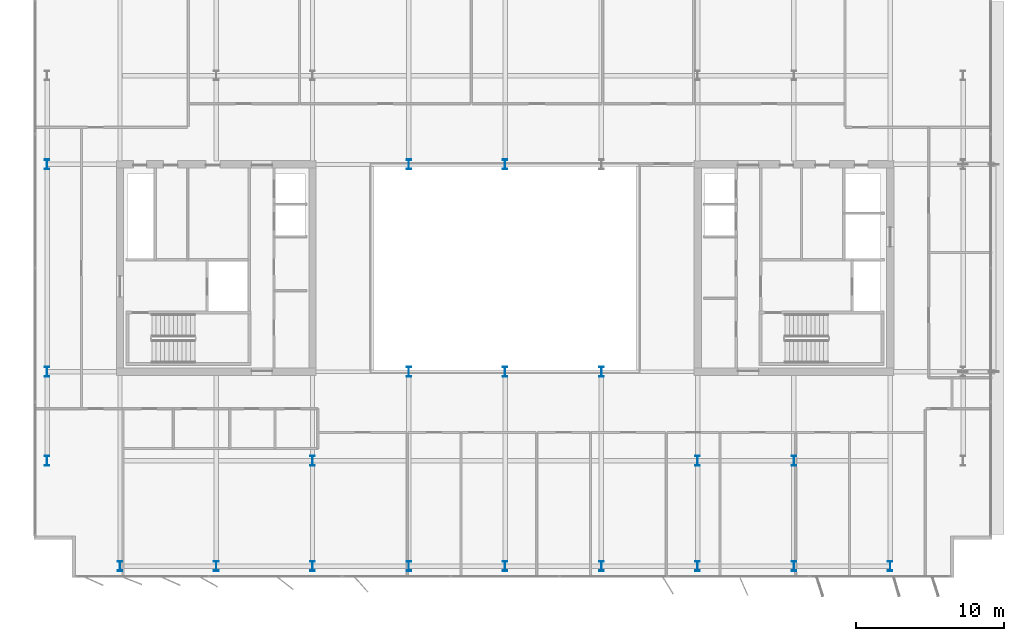
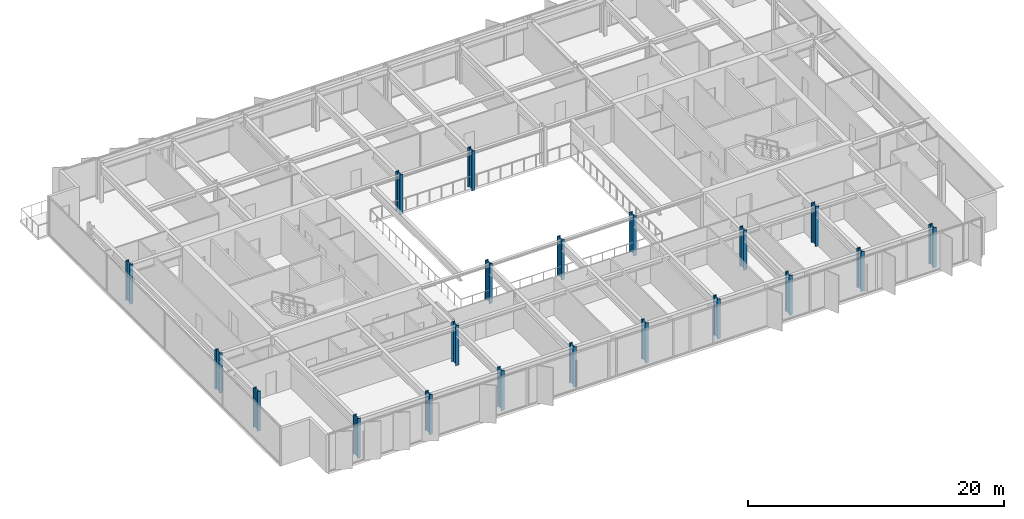
# One storey, part 1 of 20: 20 columns.
"""IFC4 building model written with IfcOpenShell, lengths in metres."""

import ifcopenshell
import ifcopenshell.guid

model = None  # the IFC model being written
_history = None  # IfcOwnerHistory: only IFC2X3 demands one
_inside = {}  # id of a spatial element -> (the spatial element, [elements in it])
_under = {}  # id of a project, library or spatial element -> (it, [spatial elements below it])
_declared = {}  # id of a project -> (the project, [libraries it declares])
_typed = {}  # id of a type object -> (the type object, [elements of that type])
_made_of = {}  # id of a material, layer set ... -> (it, [elements and type objects made of it])


def new_model(schema):
    """Start an empty IFC model of exactly this schema.

    Asked for "IFC4X3", IfcOpenShell would pick the latest addendum, in which some entities
    have other attributes; the version numbers below select the first issue.
    IFC2X3 requires an IfcOwnerHistory on every rooted entity: one is made here for all.
    """
    global model, _history
    if schema == "IFC4X3":
        model = ifcopenshell.file(schema_version=(4, 3, 0, 0))
    else:
        model = ifcopenshell.file(schema=schema)
    _inside.clear()
    _under.clear()
    _declared.clear()
    _typed.clear()
    _made_of.clear()
    _history = None
    if model.schema == "IFC2X3":
        org = make("IfcOrganization", Name="unknown")
        user = make(
            "IfcPersonAndOrganization",
            ThePerson=make("IfcPerson", FamilyName="unknown"),
            TheOrganization=org,
        )
        app = make(
            "IfcApplication",
            ApplicationDeveloper=org,
            Version="unknown",
            ApplicationFullName="unknown",
            ApplicationIdentifier="unknown",
        )
        _history = make(
            "IfcOwnerHistory",
            OwningUser=user,
            OwningApplication=app,
            ChangeAction="ADDED",
            CreationDate=0,
        )
    return model


def make(cls, **values):
    """One entity of the class cls with the attributes given. An attribute that is None is left unset."""
    return model.create_entity(
        cls, **{name: value for name, value in values.items() if value is not None}
    )


def rooted(cls, **values):
    """An entity with a GlobalId (a new one), such as an element, a storey or a relation."""
    return make(cls, GlobalId=ifcopenshell.guid.new(), OwnerHistory=_history, **values)


def si_unit(unit_type, name, prefix=None):
    """IfcSIUnit, for example si_unit("LENGTHUNIT", "METRE", prefix="MILLI")."""
    return make("IfcSIUnit", UnitType=unit_type, Prefix=prefix, Name=name)


def assignment(units):
    """IfcUnitAssignment: the units of a project."""
    return None if units is None else make("IfcUnitAssignment", Units=units)


def point(xyz):
    """IfcCartesianPoint."""
    return None if xyz is None else make("IfcCartesianPoint", Coordinates=xyz)


def direction(xyz):
    """IfcDirection."""
    return None if xyz is None else make("IfcDirection", DirectionRatios=xyz)


def frame(location, z_axis=None, x_axis=None):
    """IfcAxis2Placement3D, a coordinate frame: its origin and axes. An axis left out is left unset."""
    return make(
        "IfcAxis2Placement3D",
        Location=point(location),
        Axis=direction(z_axis),
        RefDirection=direction(x_axis),
    )


def frame_2d(location, x_axis=None):
    """IfcAxis2Placement2D, a coordinate frame in the plane: its origin and x axis."""
    return make(
        "IfcAxis2Placement2D", Location=point(location), RefDirection=direction(x_axis)
    )


def origin():
    """The frame at (0, 0, 0) with its axes left unset."""
    return frame((0.0, 0.0, 0.0))


def origin_2d():
    """The frame at (0, 0) in the plane with its x axis left unset."""
    return frame_2d((0.0, 0.0))


def place(relative_to, where):
    """IfcLocalPlacement: puts the frame where relative to a parent placement (None: the world)."""
    return make(
        "IfcLocalPlacement", PlacementRelTo=relative_to, RelativePlacement=where
    )


def context(
    kind, dimensions, precision=None, world=None, true_north=None, identifier=None
):
    """IfcGeometricRepresentationContext, for example the 3D "Model" context."""
    return make(
        "IfcGeometricRepresentationContext",
        ContextIdentifier=identifier,
        ContextType=kind,
        CoordinateSpaceDimension=dimensions,
        Precision=precision,
        WorldCoordinateSystem=world,
        TrueNorth=true_north,
    )


def subcontext(parent, identifier, kind, view, scale=None):
    """IfcGeometricRepresentationSubContext, for example "Body" below "Model"."""
    return make(
        "IfcGeometricRepresentationSubContext",
        ContextIdentifier=identifier,
        ContextType=kind,
        ParentContext=parent,
        TargetScale=scale,
        TargetView=view,
    )


def project(units=None, contexts=None):
    """IfcProject with its units and contexts."""
    return rooted(
        "IfcProject",
        Name="project",
        RepresentationContexts=contexts,
        UnitsInContext=assignment(units),
    )


def spatial(cls, under=None, at=None, **own):
    """A site, building, storey or space (cls), placed at a placement, below another one or the project."""
    s = rooted(cls, ObjectPlacement=at, **own)
    if under is not None:
        _under.setdefault(under.id(), (under, []))[1].append(s)
    return s


def profile(cls, at=None, kind="AREA", **sizes):
    """A parametric profile (cls). Its sizes go by their IFC names, for example OverallWidth=200.0."""
    return make(cls, ProfileType=kind, Position=at, **sizes)


def i_section(**sizes):
    """IfcIShapeProfileDef."""
    return profile("IfcIShapeProfileDef", **sizes)


def extrude(swept, where, along, depth):
    """IfcExtrudedAreaSolid: the profile swept, set in the frame where, extruded along a direction by depth."""
    return make(
        "IfcExtrudedAreaSolid",
        SweptArea=swept,
        Position=where,
        ExtrudedDirection=direction(along),
        Depth=depth,
    )


def shape(context_of_items, identifier, shape_type, items):
    """IfcShapeRepresentation: the items that make up one representation, for example the "Body"."""
    return make(
        "IfcShapeRepresentation",
        ContextOfItems=context_of_items,
        RepresentationIdentifier=identifier,
        RepresentationType=shape_type,
        Items=items,
    )


def material(Name=None, Category=None):
    """IfcMaterial."""
    return make("IfcMaterial", Name=Name, Category=Category)


def material_profile(
    of_material, cross_section, Name=None, Category=None, Priority=None
):
    """IfcMaterialProfile: a cross section and its material."""
    return make(
        "IfcMaterialProfile",
        Name=Name,
        Material=of_material,
        Profile=cross_section,
        Priority=Priority,
        Category=Category,
    )


def profile_set(profiles, Name=None, composite=None):
    """IfcMaterialProfileSet."""
    return make(
        "IfcMaterialProfileSet",
        Name=Name,
        MaterialProfiles=profiles,
        CompositeProfile=composite,
    )


def made_of(thing, what):
    """Note that an element or type object is made of a material, layer set ...; save() writes the relation."""
    if what is not None:
        _made_of.setdefault(what.id(), (what, []))[1].append(thing)
    return thing


def type_object(cls, material=None, **own):
    """A type object (cls), such as IfcWallType, which elements share."""
    return made_of(rooted(cls, **own), material)


def element(
    cls,
    number,
    at=None,
    inside=None,
    cuts=None,
    type_object=None,
    material=None,
    context=None,
    identifier="Body",
    shape_type=None,
    held_by="IfcProductDefinitionShape",
    body=None,
    shapes=None,
    **own,
):
    """One element of the class cls, such as IfcWall. Its Tag is "e" and its number.

    at: its placement. inside: the storey or other place that contains it. cuts: it is an
    opening in that element (IfcRelVoidsElement). A single representation is given by context,
    identifier, shape_type and body (its items); several are given by shapes. held_by: the class
    of the entity that holds the representations. save() writes the other relations.
    """
    e = rooted(cls, Tag="e%d" % number, ObjectPlacement=at, **own)
    if body is not None:
        shapes = [shape(context, identifier, shape_type, body)]
    if shapes is not None:
        e.Representation = make(held_by, Representations=shapes)
    if inside is not None:
        _inside.setdefault(inside.id(), (inside, []))[1].append(e)
    if cuts is not None:
        rooted(
            "IfcRelVoidsElement", RelatingBuildingElement=cuts, RelatedOpeningElement=e
        )
    if type_object is not None:
        _typed.setdefault(type_object.id(), (type_object, []))[1].append(e)
    return made_of(e, material)


def aggregate(whole, parts):
    """IfcRelAggregates: a whole, such as a stair, and the parts it consists of."""
    return rooted("IfcRelAggregates", RelatingObject=whole, RelatedObjects=parts)


def save(model, path):
    """Write the relations noted so far, then the file.

    IfcRelAggregates (storeys below a building ...), IfcRelContainedInSpatialStructure (elements
    in a storey), IfcRelDefinesByType, IfcRelAssociatesMaterial and IfcRelDeclares: one each for
    every whole, place, type object, material and project.
    """
    for whole, parts in _under.values():
        aggregate(whole, parts)
    for where, things in _inside.values():
        rooted(
            "IfcRelContainedInSpatialStructure",
            RelatedElements=things,
            RelatingStructure=where,
        )
    for kind, things in _typed.values():
        rooted("IfcRelDefinesByType", RelatedObjects=things, RelatingType=kind)
    for what, things in _made_of.values():
        rooted("IfcRelAssociatesMaterial", RelatedObjects=things, RelatingMaterial=what)
    for by, libraries in _declared.values():
        rooted("IfcRelDeclares", RelatingContext=by, RelatedDefinitions=libraries)
    model.write(path)


model = new_model("IFC4")

# Units and contexts
model_context = context("Model", 3, precision=1e-05, world=origin(), true_north=direction((0.0, 1.0)))
body_context = subcontext(model_context, "Body", "Model", "MODEL_VIEW")
ifc_project = project(units=[si_unit("LENGTHUNIT", "METRE"), si_unit("AREAUNIT", "SQUARE_METRE"), si_unit("VOLUMEUNIT", "CUBIC_METRE"), si_unit("PLANEANGLEUNIT", "RADIAN"), si_unit("MASSUNIT", "GRAM", prefix="KILO")], contexts=[model_context])

# Site, building, storey
site_placement = place(None, origin())
site = spatial("IfcSite", under=ifc_project, at=site_placement, CompositionType="ELEMENT")
building_placement = place(site_placement, origin())
building = spatial("IfcBuilding", under=site, at=building_placement, Name="Putna Gate Headquarters", CompositionType="ELEMENT")
storey_placement = place(building_placement, frame((0.0, 0.0, 274.60009765625)))
storey = spatial("IfcBuildingStorey", under=building, at=storey_placement, Name="L69", CompositionType="ELEMENT", Elevation=274.60009765625)

# Columns
ifc_material = material(Name="Steel S460M", Category="steel")
ifc_material_profile_1 = material_profile(ifc_material, i_section(OverallWidth=0.304931640625, OverallDepth=0.66796875, WebThickness=0.02099609375, FlangeThickness=0.0400390625, at=origin_2d()), Name="Steel S460M")
ifc_profile_set_1 = profile_set([ifc_material_profile_1], Name="Steel S460M")
column_type_1 = type_object("IfcColumnType", Name="COL-STL-HEM650-EXT", PredefinedType="COLUMN", material=ifc_profile_set_1)
for number, where, z_axis, x_axis, name in (
    (1, (13.0, 5.8798828125, 0.0), (0.0, 0.0, 1.0), (1.0, 0.0, 0.0), "L69 Column CP-S13"),
    (2, (19.5, 5.8798828125, 0.0), (0.0, 0.0, 1.0), (1.0, 0.0, 0.0), "L69 Column CP-S19"),
    (3, (26.0, 5.8798828125, 0.0), (0.0, 0.0, 1.0), (1.0, 0.0, 0.0), "L69 Column CP-S26"),
    (4, (32.5, 5.8798828125, 0.0), (0.0, 0.0, 1.0), (1.0, 0.0, 0.0), "L69 Column CP-S32"),
    (5, (39.0, 5.8798828125, 0.0), (0.0, 0.0, 1.0), (1.0, 0.0, 0.0), "L69 Column CP-S39"),
    (6, (45.5, 5.8798828125, 0.0), (0.0, 0.0, 1.0), (1.0, 0.0, 0.0), "L69 Column CP-S45"),
    (7, (52.0, 5.8798828125, 0.0), (0.0, 0.0, 1.0), (1.0, 0.0, 0.0), "L69 Column CP-S52"),
    (8, (58.5, 5.8798828125, 0.0), (0.0, 0.0, 1.0), (1.0, 0.0, 0.0), "L69 Column CP-S58"),
    (9, (65.0, 5.8798828125, 0.0), (0.0, 0.0, 1.0), (1.0, 0.0, 0.0), "L69 Column CP-S65"),
    (10, (8.080078125, 13.0, 0.0), (0.0, 0.0, 1.0), (1.0, 0.0, 0.0), "L69 Column CP-W13"),
    (11, (8.080078125, 19.0, 0.0), (0.0, 0.0, 1.0), (1.0, 0.0, 0.0), "L69 Column CP-W19"),
    (12, (8.080078125, 33.0, 0.0), (0.0, 0.0, 1.0), (1.0, 0.0, 0.0), "L69 Column CP-W33"),
):
    element("IfcColumn", number, at=place(storey_placement, frame(where, z_axis=z_axis, x_axis=x_axis)), inside=storey, type_object=column_type_1, Name=name, PredefinedType="COLUMN", context=body_context, shape_type="SweptSolid", body=[
        extrude(i_section(OverallWidth=0.304931640625, OverallDepth=0.66796875, WebThickness=0.02099609375, FlangeThickness=0.0400390625, at=origin_2d()), origin(), (0.0, 0.0, 1.0), 3.7998046875),
    ])
ifc_material_profile_2 = material_profile(ifc_material, i_section(OverallWidth=0.304931640625, OverallDepth=0.66796875, WebThickness=0.02099609375, FlangeThickness=0.0400390625, at=origin_2d()), Name="Steel S460M")
ifc_profile_set_2 = profile_set([ifc_material_profile_2], Name="Steel S460M")
column_type_2 = type_object("IfcColumnType", Name="COL-STL-HEM650-INT", PredefinedType="COLUMN", material=ifc_profile_set_2)
for number, where, z_axis, x_axis, name in (
    (13, (58.5, 13.0, 0.0), (0.0, 0.0, 1.0), (1.0, 0.0, 0.0), "L69 Column CSI-ES"),
    (14, (32.5, 19.0, 0.0), (0.0, 0.0, 1.0), (1.0, 0.0, 0.0), "L69 Column CAI-S32"),
    (15, (32.5, 33.0, 0.0), (0.0, 0.0, 1.0), (1.0, 0.0, 0.0), "L69 Column CAI-N32"),
    (16, (39.0, 19.0, 0.0), (0.0, 0.0, 1.0), (1.0, 0.0, 0.0), "L69 Column CAI-S39"),
    (17, (39.0, 33.0, 0.0), (0.0, 0.0, 1.0), (1.0, 0.0, 0.0), "L69 Column CAI-N39"),
    (18, (45.5, 19.0, 0.0), (0.0, 0.0, 1.0), (1.0, 0.0, 0.0), "L69 Column CAI-S45"),
    (19, (26.0, 13.0, 0.0), (0.0, 0.0, 1.0), (1.0, 0.0, 0.0), "L69 Column CAP-WS"),
    (20, (52.0, 13.0, 0.0), (0.0, 0.0, 1.0), (1.0, 0.0, 0.0), "L69 Column CAP-ES"),
):
    element("IfcColumn", number, at=place(storey_placement, frame(where, z_axis=z_axis, x_axis=x_axis)), inside=storey, type_object=column_type_2, Name=name, PredefinedType="COLUMN", context=body_context, shape_type="SweptSolid", body=[
        extrude(i_section(OverallWidth=0.304931640625, OverallDepth=0.66796875, WebThickness=0.02099609375, FlangeThickness=0.0400390625, at=origin_2d()), origin(), (0.0, 0.0, 1.0), 3.7998046875),
    ])

save(model, "model.ifc")
